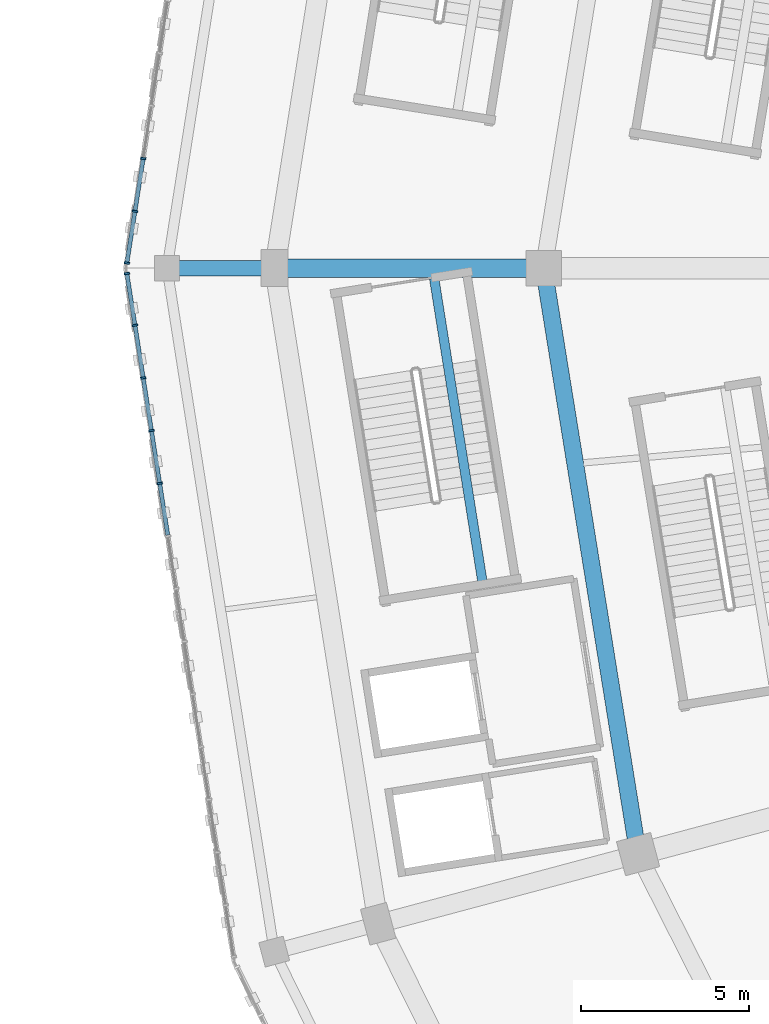
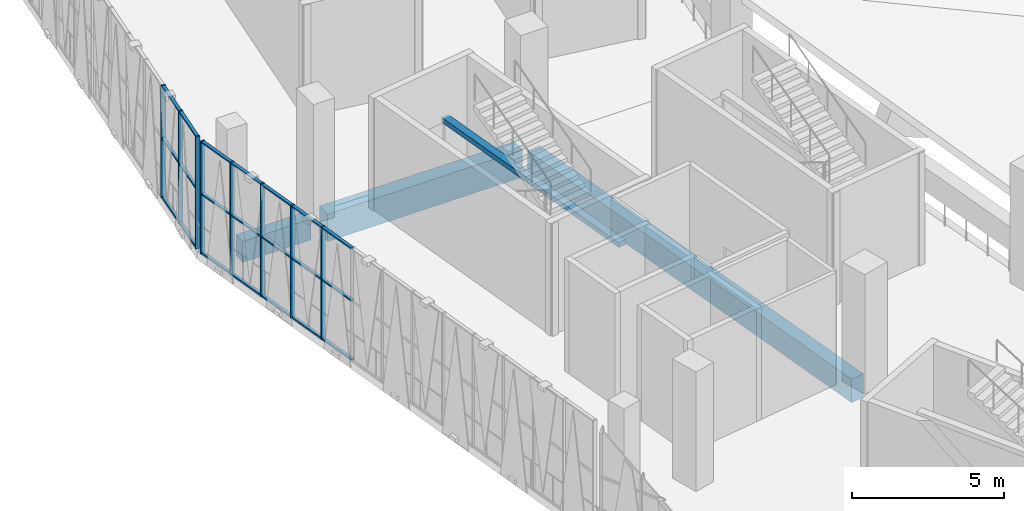
# One storey, part 20 of 183: 29 members, 4 beams, 2 elements without a shape of their own.
"""IFC4 building model written with IfcOpenShell, lengths in metres."""

from ifc_helpers import new_model, si_unit, direction, frame, origin, origin_2d, place, context, subcontext, project, spatial, rectangle, extrude, material, material_profile, profile_set, type_object, element, aggregate, save


model = new_model("IFC4")

# Units and contexts
model_context = context("Model", 3, precision=1e-05, world=origin(), true_north=direction((0.0, 1.0)))
body_context = subcontext(model_context, "Body", "Model", "MODEL_VIEW")
ifc_project = project(units=[si_unit("LENGTHUNIT", "METRE"), si_unit("AREAUNIT", "SQUARE_METRE"), si_unit("VOLUMEUNIT", "CUBIC_METRE"), si_unit("PLANEANGLEUNIT", "RADIAN"), si_unit("MASSUNIT", "GRAM", prefix="KILO")], contexts=[model_context])

# Site, building, storey
site_placement = place(None, origin())
site = spatial("IfcSite", under=ifc_project, at=site_placement, CompositionType="ELEMENT")
building_placement = place(site_placement, origin())
building = spatial("IfcBuilding", under=site, at=building_placement, Name="Zevraka Park Crest Stadium", CompositionType="ELEMENT")
storey_placement = place(building_placement, frame((0.0, 0.0, 5.39990234375)))
storey = spatial("IfcBuildingStorey", under=building, at=storey_placement, Name="L01", CompositionType="ELEMENT", Elevation=5.39990234375)

# Beams
ifc_material_1 = material(Name="Concrete C40/50", Category="concrete")
ifc_material_profile_1 = material_profile(ifc_material_1, rectangle(XDim=0.550048828125, YDim=1.10009765625, at=origin_2d()), Name="RC 1100x550")
ifc_profile_set_1 = profile_set([ifc_material_profile_1], Name="Concrete C40/50")
beam_type_1 = type_object("IfcBeamType", Name="BG02", PredefinedType="BEAM", material=ifc_profile_set_1)
beam_1_placement = place(storey_placement, frame((29.39990234375, 92.0, -0.559814453125), z_axis=(-1.0, 0.0, 0.0), x_axis=(0.0, -1.0, 0.0)))
element("IfcBeam", 1, at=beam_1_placement, inside=storey, type_object=beam_type_1, Name="Radial Girder BG02 L01-CD-12", PredefinedType="BEAM", context=body_context, shape_type="SweptSolid", body=[
    extrude(rectangle(XDim=0.550048828125, YDim=1.10009765625, at=origin_2d()), origin(), (0.0, 0.0, 1.0), 7.39990234375),
])
ifc_material_2 = material(Name="Concrete C40/50", Category="concrete")
ifc_material_profile_2 = material_profile(ifc_material_2, rectangle(XDim=0.449951171875, YDim=0.85009765625, at=origin_2d()), Name="RC 850x450")
ifc_profile_set_2 = profile_set([ifc_material_profile_2], Name="Concrete C40/50")
beam_type_2 = type_object("IfcBeamType", Name="BG03", PredefinedType="BEAM", material=ifc_profile_set_2)
beam_2_placement = place(storey_placement, frame((21.39990234375, 92.0, -0.434814453125), z_axis=(-1.0, 0.0, 0.0), x_axis=(0.0, -1.0, 0.0)))
element("IfcBeam", 2, at=beam_2_placement, inside=storey, type_object=beam_type_2, Name="Radial Girder BG03 L01-DE-12", PredefinedType="BEAM", context=body_context, shape_type="SweptSolid", body=[
    extrude(rectangle(XDim=0.449951171875, YDim=0.85009765625, at=origin_2d()), origin(), (0.0, 0.0, 1.0), 2.599853515625),
])

# Curtain wall, members
ifc_material_3 = material(Name="Anodised architectural aluminium and laminated safety glass", Category="aluminium")
curtain_wall_type = type_object("IfcCurtainWallType", Name="CW01", PredefinedType="NOTDEFINED", material=ifc_material_3)
curtain_wall_1_placement = place(storey_placement, origin())
curtain_wall_1 = element("IfcCurtainWall", 3, at=curtain_wall_1_placement, inside=storey, type_object=curtain_wall_type, Name="Unitised Ring Curtain Wall CW01 L01-11", PredefinedType="NOTDEFINED")
ifc_material_4 = material(Name="Anodised architectural aluminium", Category="aluminium")
ifc_material_profile_3 = material_profile(ifc_material_4, rectangle(XDim=0.159912109375, YDim=0.06005859375, at=origin_2d()), Name="ALU MULLION 160x60")
ifc_profile_set_3 = profile_set([ifc_material_profile_3], Name="Anodised architectural aluminium")
member_type_1 = type_object("IfcMemberType", Name="CM01", PredefinedType="MULLION", material=ifc_profile_set_3)
member_1_placement = place(storey_placement, frame((17.791259765625, 95.260986328125, 0.0), z_axis=(0.0, 0.0, 1.0), x_axis=(0.987996544735, -0.154475977394, 0.0)))
member_1 = element("IfcMember", 4, at=member_1_placement, type_object=member_type_1, Name="CW01 mullion 12", PredefinedType="MULLION", context=body_context, shape_type="SweptSolid", body=[
    extrude(rectangle(XDim=0.159912109375, YDim=0.06005859375, at=origin_2d()), origin(), (0.0, 0.0, 1.0), 4.52001953125),
])
member_2_placement = place(storey_placement, frame((17.546142578125, 93.693359375, 0.0), z_axis=(0.0, 0.0, 1.0), x_axis=(0.987996544735, -0.154475977394, 0.0)))
member_2 = element("IfcMember", 5, at=member_2_placement, type_object=member_type_1, Name="CW01 mullion 13", PredefinedType="MULLION", context=body_context, shape_type="SweptSolid", body=[
    extrude(rectangle(XDim=0.159912109375, YDim=0.06005859375, at=origin_2d()), origin(), (0.0, 0.0, 1.0), 4.52001953125),
])
member_3_placement = place(storey_placement, frame((17.3056640625, 92.15576171875, 0.0), z_axis=(0.0, 0.0, 1.0), x_axis=(0.987996544735, -0.154475977394, 0.0)))
member_3 = element("IfcMember", 6, at=member_3_placement, type_object=member_type_1, Name="CW01 mullion 14", PredefinedType="MULLION", context=body_context, shape_type="SweptSolid", body=[
    extrude(rectangle(XDim=0.159912109375, YDim=0.06005859375, at=origin_2d()), origin(), (0.0, 0.0, 1.0), 4.52001953125),
])

curtain_wall_2_placement = place(storey_placement, origin())
curtain_wall_2 = element("IfcCurtainWall", 7, at=curtain_wall_2_placement, inside=storey, type_object=curtain_wall_type, Name="Unitised Ring Curtain Wall CW01 L01-12", PredefinedType="NOTDEFINED")
member_4_placement = place(storey_placement, frame((17.3056640625, 91.84423828125, 0.0), z_axis=(0.0, 0.0, 1.0), x_axis=(0.987996544735, 0.154475977394, 0.0)))
member_4 = element("IfcMember", 8, at=member_4_placement, type_object=member_type_1, Name="CW01 mullion 1", PredefinedType="MULLION", context=body_context, shape_type="SweptSolid", body=[
    extrude(rectangle(XDim=0.159912109375, YDim=0.06005859375, at=origin_2d()), origin(), (0.0, 0.0, 1.0), 4.52001953125),
])
member_5_placement = place(storey_placement, frame((17.546142578125, 90.306640625, 0.0), z_axis=(0.0, 0.0, 1.0), x_axis=(0.987996544735, 0.154475977394, 0.0)))
member_5 = element("IfcMember", 9, at=member_5_placement, type_object=member_type_1, Name="CW01 mullion 2", PredefinedType="MULLION", context=body_context, shape_type="SweptSolid", body=[
    extrude(rectangle(XDim=0.159912109375, YDim=0.06005859375, at=origin_2d()), origin(), (0.0, 0.0, 1.0), 4.52001953125),
])
member_6_placement = place(storey_placement, frame((17.791259765625, 88.739013671875, 0.0), z_axis=(0.0, 0.0, 1.0), x_axis=(0.987996544735, 0.154475977394, 0.0)))
member_6 = element("IfcMember", 10, at=member_6_placement, type_object=member_type_1, Name="CW01 mullion 3", PredefinedType="MULLION", context=body_context, shape_type="SweptSolid", body=[
    extrude(rectangle(XDim=0.159912109375, YDim=0.06005859375, at=origin_2d()), origin(), (0.0, 0.0, 1.0), 4.52001953125),
])
member_7_placement = place(storey_placement, frame((18.0361328125, 87.171630859375, 0.0), z_axis=(0.0, 0.0, 1.0), x_axis=(0.987996544735, 0.154475977394, 0.0)))
member_7 = element("IfcMember", 11, at=member_7_placement, type_object=member_type_1, Name="CW01 mullion 4", PredefinedType="MULLION", context=body_context, shape_type="SweptSolid", body=[
    extrude(rectangle(XDim=0.159912109375, YDim=0.06005859375, at=origin_2d()), origin(), (0.0, 0.0, 1.0), 4.52001953125),
])
member_8_placement = place(storey_placement, frame((18.28125, 85.604248046875, 0.0), z_axis=(0.0, 0.0, 1.0), x_axis=(0.987996544735, 0.154475977394, 0.0)))
member_8 = element("IfcMember", 12, at=member_8_placement, type_object=member_type_1, Name="CW01 mullion 5", PredefinedType="MULLION", context=body_context, shape_type="SweptSolid", body=[
    extrude(rectangle(XDim=0.159912109375, YDim=0.06005859375, at=origin_2d()), origin(), (0.0, 0.0, 1.0), 4.52001953125),
])

# Member
ifc_material_5 = material(Name="Anodised architectural aluminium", Category="aluminium")
ifc_material_profile_4 = material_profile(ifc_material_5, rectangle(XDim=0.1201171875, YDim=0.06005859375, at=origin_2d()), Name="ALU TRANSOM 120x60")
ifc_profile_set_4 = profile_set([ifc_material_profile_4], Name="Anodised architectural aluminium")
member_type_2 = type_object("IfcMemberType", Name="CT01", PredefinedType="USERDEFINED", material=ifc_profile_set_4)
member_9_placement = place(storey_placement, frame((17.78662109375, 95.231201171875, 0.030029296875), z_axis=(-0.154508617741, -0.987991440774, 0.0), x_axis=(0.987991440774, -0.154508617741, 0.0)))
member_9 = element("IfcMember", 13, at=member_9_placement, type_object=member_type_2, Name="CW01 transom 12.1", ObjectType="TRANSOM", PredefinedType="USERDEFINED", context=body_context, shape_type="SweptSolid", body=[
    extrude(rectangle(XDim=0.1201171875, YDim=0.06005859375, at=origin_2d()), origin(), (0.0, 0.0, 1.0), 1.5263671875),
])

member_10_placement = place(storey_placement, frame((17.78662109375, 95.231201171875, 2.400146484375), z_axis=(-0.154508617741, -0.987991440774, 0.0), x_axis=(0.987991440774, -0.154508617741, 0.0)))
member_10 = element("IfcMember", 14, at=member_10_placement, type_object=member_type_2, Name="CW01 transom 12.2", ObjectType="TRANSOM", PredefinedType="USERDEFINED", context=body_context, shape_type="SweptSolid", body=[
    extrude(rectangle(XDim=0.1201171875, YDim=0.06005859375, at=origin_2d()), origin(), (0.0, 0.0, 1.0), 1.5263671875),
])

member_11_placement = place(storey_placement, frame((17.78662109375, 95.231201171875, 4.489990234375), z_axis=(-0.154508617741, -0.987991440774, 0.0), x_axis=(0.987991440774, -0.154508617741, 0.0)))
member_11 = element("IfcMember", 15, at=member_11_placement, type_object=member_type_2, Name="CW01 transom 12.3", ObjectType="TRANSOM", PredefinedType="USERDEFINED", context=body_context, shape_type="SweptSolid", body=[
    extrude(rectangle(XDim=0.1201171875, YDim=0.06005859375, at=origin_2d()), origin(), (0.0, 0.0, 1.0), 1.5263671875),
])

member_12_placement = place(storey_placement, frame((17.54150390625, 93.663818359375, 0.030029296875), z_axis=(-0.154496320273, -0.987993363855, 0.0), x_axis=(0.987993363855, -0.154496320273, 0.0)))
member_12 = element("IfcMember", 16, at=member_12_placement, type_object=member_type_2, Name="CW01 transom 13.1", ObjectType="TRANSOM", PredefinedType="USERDEFINED", context=body_context, shape_type="SweptSolid", body=[
    extrude(rectangle(XDim=0.1201171875, YDim=0.06005859375, at=origin_2d()), origin(), (0.0, 0.0, 1.0), 1.49658203125),
])

member_13_placement = place(storey_placement, frame((17.54150390625, 93.663818359375, 2.400146484375), z_axis=(-0.154496320273, -0.987993363855, 0.0), x_axis=(0.987993363855, -0.154496320273, 0.0)))
member_13 = element("IfcMember", 17, at=member_13_placement, type_object=member_type_2, Name="CW01 transom 13.2", ObjectType="TRANSOM", PredefinedType="USERDEFINED", context=body_context, shape_type="SweptSolid", body=[
    extrude(rectangle(XDim=0.1201171875, YDim=0.06005859375, at=origin_2d()), origin(), (0.0, 0.0, 1.0), 1.49658203125),
])

member_14_placement = place(storey_placement, frame((17.54150390625, 93.663818359375, 4.489990234375), z_axis=(-0.154496320273, -0.987993363855, 0.0), x_axis=(0.987993363855, -0.154496320273, 0.0)))
member_14 = element("IfcMember", 18, at=member_14_placement, type_object=member_type_2, Name="CW01 transom 13.3", ObjectType="TRANSOM", PredefinedType="USERDEFINED", context=body_context, shape_type="SweptSolid", body=[
    extrude(rectangle(XDim=0.1201171875, YDim=0.06005859375, at=origin_2d()), origin(), (0.0, 0.0, 1.0), 1.49658203125),
])

aggregate(curtain_wall_1, [member_1, member_2, member_3, member_9, member_10, member_11, member_12, member_13, member_14])

member_15_placement = place(storey_placement, frame((17.310302734375, 91.814697265625, 0.030029296875), z_axis=(0.154496320273, -0.987993363855, 0.0), x_axis=(0.987993363855, 0.154496320273, 0.0)))
member_15 = element("IfcMember", 19, at=member_15_placement, type_object=member_type_2, Name="CW01 transom 1.1", ObjectType="TRANSOM", PredefinedType="USERDEFINED", context=body_context, shape_type="SweptSolid", body=[
    extrude(rectangle(XDim=0.1201171875, YDim=0.06005859375, at=origin_2d()), origin(), (0.0, 0.0, 1.0), 1.49658203125),
])

member_16_placement = place(storey_placement, frame((17.310302734375, 91.814697265625, 2.400146484375), z_axis=(0.154496320273, -0.987993363855, 0.0), x_axis=(0.987993363855, 0.154496320273, 0.0)))
member_16 = element("IfcMember", 20, at=member_16_placement, type_object=member_type_2, Name="CW01 transom 1.2", ObjectType="TRANSOM", PredefinedType="USERDEFINED", context=body_context, shape_type="SweptSolid", body=[
    extrude(rectangle(XDim=0.1201171875, YDim=0.06005859375, at=origin_2d()), origin(), (0.0, 0.0, 1.0), 1.49658203125),
])

member_17_placement = place(storey_placement, frame((17.310302734375, 91.814697265625, 4.489990234375), z_axis=(0.154496320273, -0.987993363855, 0.0), x_axis=(0.987993363855, 0.154496320273, 0.0)))
member_17 = element("IfcMember", 21, at=member_17_placement, type_object=member_type_2, Name="CW01 transom 1.3", ObjectType="TRANSOM", PredefinedType="USERDEFINED", context=body_context, shape_type="SweptSolid", body=[
    extrude(rectangle(XDim=0.1201171875, YDim=0.06005859375, at=origin_2d()), origin(), (0.0, 0.0, 1.0), 1.49658203125),
])

member_18_placement = place(storey_placement, frame((17.55078125, 90.27685546875, 0.030029296875), z_axis=(0.154508617741, -0.987991440774, 0.0), x_axis=(0.987991440774, 0.154508617741, 0.0)))
member_18 = element("IfcMember", 22, at=member_18_placement, type_object=member_type_2, Name="CW01 transom 2.1", ObjectType="TRANSOM", PredefinedType="USERDEFINED", context=body_context, shape_type="SweptSolid", body=[
    extrude(rectangle(XDim=0.1201171875, YDim=0.06005859375, at=origin_2d()), origin(), (0.0, 0.0, 1.0), 1.5263671875),
])

member_19_placement = place(storey_placement, frame((17.55078125, 90.27685546875, 2.400146484375), z_axis=(0.154508617741, -0.987991440774, 0.0), x_axis=(0.987991440774, 0.154508617741, 0.0)))
member_19 = element("IfcMember", 23, at=member_19_placement, type_object=member_type_2, Name="CW01 transom 2.2", ObjectType="TRANSOM", PredefinedType="USERDEFINED", context=body_context, shape_type="SweptSolid", body=[
    extrude(rectangle(XDim=0.1201171875, YDim=0.06005859375, at=origin_2d()), origin(), (0.0, 0.0, 1.0), 1.5263671875),
])

member_20_placement = place(storey_placement, frame((17.55078125, 90.27685546875, 4.489990234375), z_axis=(0.154508617741, -0.987991440774, 0.0), x_axis=(0.987991440774, 0.154508617741, 0.0)))
member_20 = element("IfcMember", 24, at=member_20_placement, type_object=member_type_2, Name="CW01 transom 2.3", ObjectType="TRANSOM", PredefinedType="USERDEFINED", context=body_context, shape_type="SweptSolid", body=[
    extrude(rectangle(XDim=0.1201171875, YDim=0.06005859375, at=origin_2d()), origin(), (0.0, 0.0, 1.0), 1.5263671875),
])

member_21_placement = place(storey_placement, frame((17.7958984375, 88.70947265625, 0.030029296875), z_axis=(0.154328094427, -0.988019655306, 0.0), x_axis=(0.988019655306, 0.154328094427, 0.0)))
member_21 = element("IfcMember", 25, at=member_21_placement, type_object=member_type_2, Name="CW01 transom 3.1", ObjectType="TRANSOM", PredefinedType="USERDEFINED", context=body_context, shape_type="SweptSolid", body=[
    extrude(rectangle(XDim=0.1201171875, YDim=0.06005859375, at=origin_2d()), origin(), (0.0, 0.0, 1.0), 1.526611328125),
])

member_22_placement = place(storey_placement, frame((17.7958984375, 88.70947265625, 2.400146484375), z_axis=(0.154328094427, -0.988019655306, 0.0), x_axis=(0.988019655306, 0.154328094427, 0.0)))
member_22 = element("IfcMember", 26, at=member_22_placement, type_object=member_type_2, Name="CW01 transom 3.2", ObjectType="TRANSOM", PredefinedType="USERDEFINED", context=body_context, shape_type="SweptSolid", body=[
    extrude(rectangle(XDim=0.1201171875, YDim=0.06005859375, at=origin_2d()), origin(), (0.0, 0.0, 1.0), 1.526611328125),
])

member_23_placement = place(storey_placement, frame((17.7958984375, 88.70947265625, 4.489990234375), z_axis=(0.154328094427, -0.988019655306, 0.0), x_axis=(0.988019655306, 0.154328094427, 0.0)))
member_23 = element("IfcMember", 27, at=member_23_placement, type_object=member_type_2, Name="CW01 transom 3.3", ObjectType="TRANSOM", PredefinedType="USERDEFINED", context=body_context, shape_type="SweptSolid", body=[
    extrude(rectangle(XDim=0.1201171875, YDim=0.06005859375, at=origin_2d()), origin(), (0.0, 0.0, 1.0), 1.526611328125),
])

member_24_placement = place(storey_placement, frame((18.040771484375, 87.14208984375, 0.030029296875), z_axis=(0.154484205161, -0.987995258266, 0.0), x_axis=(0.987995258266, 0.154484205161, 0.0)))
member_24 = element("IfcMember", 28, at=member_24_placement, type_object=member_type_2, Name="CW01 transom 4.1", ObjectType="TRANSOM", PredefinedType="USERDEFINED", context=body_context, shape_type="SweptSolid", body=[
    extrude(rectangle(XDim=0.1201171875, YDim=0.06005859375, at=origin_2d()), origin(), (0.0, 0.0, 1.0), 1.526611328125),
])

member_25_placement = place(storey_placement, frame((18.040771484375, 87.14208984375, 2.400146484375), z_axis=(0.154484205161, -0.987995258266, 0.0), x_axis=(0.987995258266, 0.154484205161, 0.0)))
member_25 = element("IfcMember", 29, at=member_25_placement, type_object=member_type_2, Name="CW01 transom 4.2", ObjectType="TRANSOM", PredefinedType="USERDEFINED", context=body_context, shape_type="SweptSolid", body=[
    extrude(rectangle(XDim=0.1201171875, YDim=0.06005859375, at=origin_2d()), origin(), (0.0, 0.0, 1.0), 1.526611328125),
])

member_26_placement = place(storey_placement, frame((18.040771484375, 87.14208984375, 4.489990234375), z_axis=(0.154484205161, -0.987995258266, 0.0), x_axis=(0.987995258266, 0.154484205161, 0.0)))
member_26 = element("IfcMember", 30, at=member_26_placement, type_object=member_type_2, Name="CW01 transom 4.3", ObjectType="TRANSOM", PredefinedType="USERDEFINED", context=body_context, shape_type="SweptSolid", body=[
    extrude(rectangle(XDim=0.1201171875, YDim=0.06005859375, at=origin_2d()), origin(), (0.0, 0.0, 1.0), 1.526611328125),
])

member_27_placement = place(storey_placement, frame((18.285888671875, 85.574462890625, 0.030029296875), z_axis=(0.154508617741, -0.987991440774, 0.0), x_axis=(0.987991440774, 0.154508617741, 0.0)))
member_27 = element("IfcMember", 31, at=member_27_placement, type_object=member_type_2, Name="CW01 transom 5.1", ObjectType="TRANSOM", PredefinedType="USERDEFINED", context=body_context, shape_type="SweptSolid", body=[
    extrude(rectangle(XDim=0.1201171875, YDim=0.06005859375, at=origin_2d()), origin(), (0.0, 0.0, 1.0), 1.5263671875),
])

member_28_placement = place(storey_placement, frame((18.285888671875, 85.574462890625, 2.400146484375), z_axis=(0.154508617741, -0.987991440774, 0.0), x_axis=(0.987991440774, 0.154508617741, 0.0)))
member_28 = element("IfcMember", 32, at=member_28_placement, type_object=member_type_2, Name="CW01 transom 5.2", ObjectType="TRANSOM", PredefinedType="USERDEFINED", context=body_context, shape_type="SweptSolid", body=[
    extrude(rectangle(XDim=0.1201171875, YDim=0.06005859375, at=origin_2d()), origin(), (0.0, 0.0, 1.0), 1.5263671875),
])

member_29_placement = place(storey_placement, frame((18.285888671875, 85.574462890625, 4.489990234375), z_axis=(0.154508617741, -0.987991440774, 0.0), x_axis=(0.987991440774, 0.154508617741, 0.0)))
member_29 = element("IfcMember", 33, at=member_29_placement, type_object=member_type_2, Name="CW01 transom 5.3", ObjectType="TRANSOM", PredefinedType="USERDEFINED", context=body_context, shape_type="SweptSolid", body=[
    extrude(rectangle(XDim=0.1201171875, YDim=0.06005859375, at=origin_2d()), origin(), (0.0, 0.0, 1.0), 1.5263671875),
])

aggregate(curtain_wall_2, [member_4, member_5, member_6, member_7, member_8, member_15, member_16, member_17, member_18, member_19, member_20, member_21, member_22, member_23, member_24, member_25, member_26, member_27, member_28, member_29])

# Beams
ifc_material_6 = material(Name="Concrete C40/50", Category="concrete")
ifc_material_profile_5 = material_profile(ifc_material_6, rectangle(XDim=0.5, YDim=0.949951171875, at=origin_2d()), Name="RC 950x500")
ifc_profile_set_5 = profile_set([ifc_material_profile_5], Name="Concrete C40/50")
beam_type_3 = type_object("IfcBeamType", Name="RB02", PredefinedType="BEAM", material=ifc_profile_set_5)
beam_3_placement = place(storey_placement, frame((29.760009765625, 91.625, -0.48486328125), z_axis=(0.158975112778, -0.987282590507, 0.0), x_axis=(0.987282590507, 0.158975112778, 0.0)))
element("IfcBeam", 34, at=beam_3_placement, inside=storey, type_object=beam_type_3, Name="Ring Beam RB02 L01-C-12", PredefinedType="BEAM", context=body_context, shape_type="SweptSolid", body=[
    extrude(rectangle(XDim=0.5, YDim=0.949951171875, at=origin_2d()), origin(), (0.0, 0.0, 1.0), 16.883544921875),
])
ifc_material_7 = material(Name="Concrete C40/50", Category="concrete")
ifc_material_profile_6 = material_profile(ifc_material_7, rectangle(XDim=0.280029296875, YDim=0.199951171875, at=origin_2d()), Name="RC 200x280")
ifc_profile_set_6 = profile_set([ifc_material_profile_6], Name="Concrete C40/50")
beam_type_4 = type_object("IfcBeamType", Name="SJ13", PredefinedType="JOIST", material=ifc_profile_set_6)
beam_4_placement = place(storey_placement, frame((26.440673828125, 91.70263671875, 2.300048828125), z_axis=(0.157251361722, -0.987558610532, 0.0), x_axis=(0.987558610532, 0.157251361722, 0.0)))
element("IfcBeam", 35, at=beam_4_placement, inside=storey, type_object=beam_type_4, Name="Stair Upper-Flight Longitudinal Stringer SJ13 ST13-L01", PredefinedType="JOIST", context=body_context, shape_type="SweptSolid", body=[
    extrude(rectangle(XDim=0.280029296875, YDim=0.199951171875, at=origin_2d()), origin(), (0.0, 0.0, 1.0), 9.25),
])

save(model, "model.ifc")
